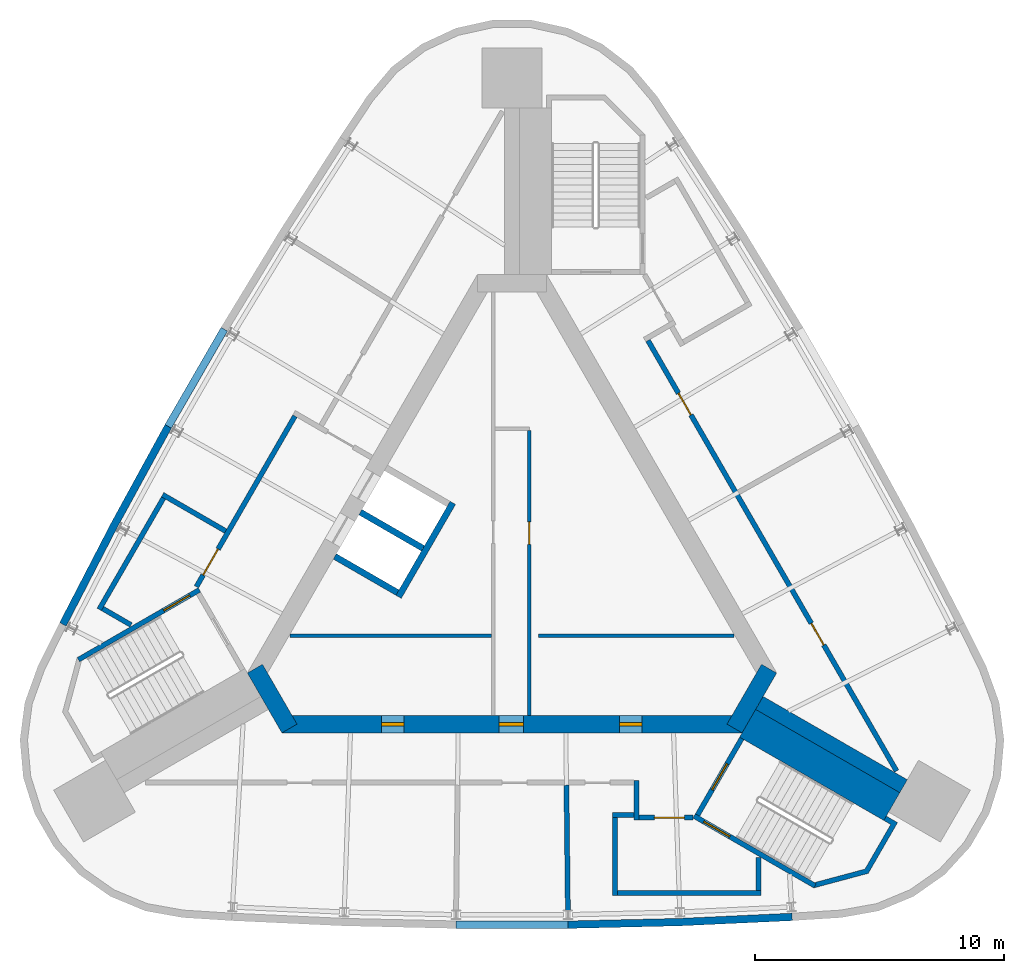
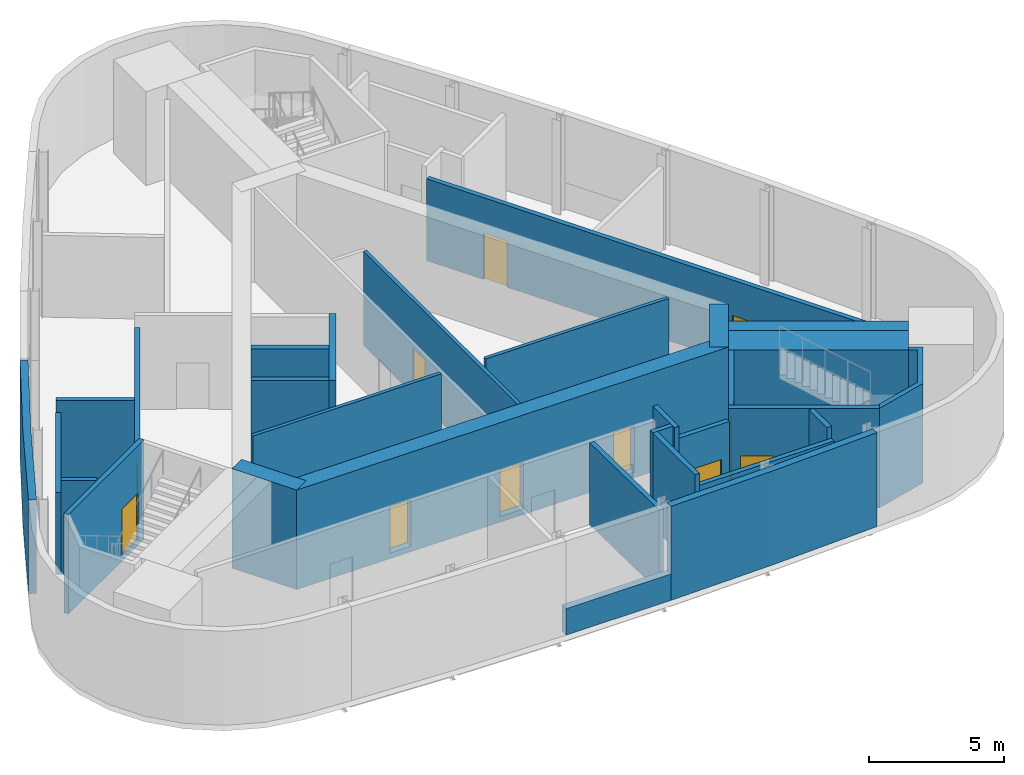
# One storey, part 4 of 7: 31 walls, 11 doors, 11 openings.
"""IFC4 building model written with IfcOpenShell, lengths in metres."""

from ifc_helpers import new_model, si_unit, direction, frame, frame_2d, origin, place, context, subcontext, project, spatial, polyline, rectangle, outline, extrude, material, layer, layer_set, type_object, element, fill, save


model = new_model("IFC4")

# Units and contexts
model_context = context("Model", 3, precision=1e-05, world=origin(), true_north=direction((0.0, 1.0)))
body_context = subcontext(model_context, "Body", "Model", "MODEL_VIEW")
ifc_project = project(units=[si_unit("LENGTHUNIT", "METRE"), si_unit("AREAUNIT", "SQUARE_METRE"), si_unit("VOLUMEUNIT", "CUBIC_METRE"), si_unit("PLANEANGLEUNIT", "RADIAN"), si_unit("MASSUNIT", "GRAM", prefix="KILO")], contexts=[model_context])

# Site, building, storey
site_placement = place(None, origin())
site = spatial("IfcSite", under=ifc_project, at=site_placement, CompositionType="ELEMENT")
building_placement = place(site_placement, origin())
building = spatial("IfcBuilding", under=site, at=building_placement, Name="Noor Cloister Tower", CompositionType="ELEMENT")
storey_placement = place(building_placement, frame((0.0, 0.0, 284.10009765625)))
storey = spatial("IfcBuildingStorey", under=building, at=storey_placement, Name="L72", CompositionType="ELEMENT", Elevation=284.10009765625)

# Walls
ifc_material_1 = material(Name="Concrete C50/60", Category="concrete")
ifc_layer_1 = layer(ifc_material_1, 0.60009765625)
ifc_layer_set_1 = layer_set([ifc_layer_1], Name="Buttress wall 600 C50/60")
wall_type_1 = type_object("IfcWallType", Name="Buttress wall 600 C50/60", PredefinedType="SHEAR", material=ifc_layer_set_1)
wall_1_placement = place(storey_placement, frame((9.921630859375, -5.728271484375, -0.25), z_axis=(0.0, 0.0, 1.0), x_axis=(0.866032176823, -0.499988268569, 0.0)))
element("IfcWall", 1, at=wall_1_placement, inside=storey, type_object=wall_type_1, Name="Buttress wall SE L72", PredefinedType="SHEAR", context=body_context, shape_type="SweptSolid", body=[
    extrude(rectangle(XDim=6.678466796875, YDim=0.60009765625, at=frame_2d((3.33935546875, 0.0))), origin(), (0.0, 0.0, 1.0), 4.5),
])
ifc_material_2 = material(Name="Concrete C30/37", Category="concrete")
ifc_layer_2 = layer(ifc_material_2, 0.14990234375)
ifc_layer_set_2 = layer_set([ifc_layer_2], Name="Core partition 150 C30/37")
wall_type_2 = type_object("IfcWallType", Name="Core partition 150 C30/37", PredefinedType="PARTITIONING", material=ifc_layer_set_2)
wall_2_placement = place(storey_placement, frame((-8.89501953125, -3.0283203125, 0.0), z_axis=(0.0, 0.0, 1.0), x_axis=(1.0, 0.0, 0.0)))
element("IfcWall", 2, at=wall_2_placement, inside=storey, type_object=wall_type_2, Name="Core room partition L72 1", PredefinedType="PARTITIONING", context=body_context, shape_type="SweptSolid", body=[
    extrude(rectangle(XDim=8.06640625, YDim=0.14990234375, at=frame_2d((4.033203125, 0.0))), origin(), (0.0, 0.0, 1.0), 4.25),
])

# Wall, opening, door
wall_3_placement = place(storey_placement, frame((0.6962890625, 5.19677734375, 0.0), z_axis=(0.0, 0.0, 1.0), x_axis=(0.0, -1.0, 0.0)))
wall_3 = element("IfcWall", 3, at=wall_3_placement, inside=storey, type_object=wall_type_2, Name="Core room partition L72 4", PredefinedType="PARTITIONING", context=body_context, shape_type="SweptSolid", body=[
    extrude(rectangle(XDim=11.425048828125, YDim=0.14990234375, at=frame_2d((5.71240234375, 0.0))), origin(), (0.0, 0.0, 1.0), 4.25),
])
opening_1_placement = place(wall_3_placement, frame((3.66357421875, 0.0, 0.0)))
opening_1 = element("IfcOpeningElement", 4, at=opening_1_placement, cuts=wall_3, Name="Opening L72-905", PredefinedType="OPENING", context=body_context, shape_type="SweptSolid", body=[
    extrude(rectangle(XDim=0.89990234375, YDim=2.10009765625, at=frame_2d((0.449951171875, 1.050048828125))), frame((0.0, 0.0849609375, 0.0), z_axis=(0.0, -1.0, 0.0), x_axis=(1.0, 0.0, 0.0)), (0.0, 0.0, 1.0), 0.169921875),
])
ifc_material_3 = material(Name="Steel", Category="steel")
door_type_1 = type_object("IfcDoorType", Name="Core door 900 x 2100 FD60", OperationType="SINGLE_SWING_LEFT", PredefinedType="DOOR", material=ifc_material_3)
door_1_placement = place(opening_1_placement, origin())
door_1 = element("IfcDoor", 5, at=door_1_placement, inside=storey, type_object=door_type_1, Name="Core door 5 L72", OperationType="SINGLE_SWING_LEFT", OverallHeight=2.10009765625, OverallWidth=0.89990234375, PredefinedType="DOOR", context=body_context, shape_type="SweptSolid", body=[
    extrude(rectangle(XDim=0.89990234375, YDim=2.10009765625, at=frame_2d((0.449951171875, 1.050048828125))), frame((0.0, 0.02490234375, 0.0), z_axis=(0.0, -1.0, 0.0), x_axis=(1.0, 0.0, 0.0)), (0.0, 0.0, 1.0), 0.050048828125),
])
fill(opening_1, door_1)

# Wall
wall_4_placement = place(storey_placement, frame((1.0712890625, -3.0283203125, 0.0), z_axis=(0.0, 0.0, 1.0), x_axis=(1.0, 0.0, 0.0)))
element("IfcWall", 6, at=wall_4_placement, inside=storey, type_object=wall_type_2, Name="Core room partition L72 5", PredefinedType="PARTITIONING", context=body_context, shape_type="SweptSolid", body=[
    extrude(rectangle(XDim=7.82373046875, YDim=0.14990234375, at=frame_2d((3.911865234375, 0.0))), origin(), (0.0, 0.0, 1.0), 4.25),
])

# Wall, openings, doors
ifc_material_4 = material(Name="Concrete C50/60", Category="concrete")
ifc_layer_3 = layer(ifc_material_4, 0.699951171875)
ifc_layer_set_3 = layer_set([ifc_layer_3], Name="Core wall 700 C50/60")
wall_type_3 = type_object("IfcWallType", Name="Core wall 700 C50/60", PredefinedType="SHEAR", material=ifc_layer_set_3)
wall_5_placement = place(storey_placement, frame((-9.228759765625, -6.578125, -0.25), z_axis=(0.0, 0.0, 1.0), x_axis=(1.0, 0.0, 0.0)))
wall_5 = element("IfcWall", 7, at=wall_5_placement, inside=storey, type_object=wall_type_3, Name="Core wall L72 1", PredefinedType="SHEAR", context=body_context, shape_type="SweptSolid", body=[
    extrude(rectangle(XDim=18.45751953125, YDim=0.699951171875, at=frame_2d((9.228759765625, 0.0))), origin(), (0.0, 0.0, 1.0), 4.5),
])
opening_2_placement = place(wall_5_placement, frame((8.699951171875, 0.0, 0.25)))
opening_2 = element("IfcOpeningElement", 8, at=opening_2_placement, cuts=wall_5, Name="Opening L72-901", PredefinedType="OPENING", context=body_context, shape_type="SweptSolid", body=[
    extrude(rectangle(XDim=1.0, YDim=2.10009765625, at=frame_2d((0.5, 1.050048828125))), frame((0.0, 0.35986328125, 0.0), z_axis=(0.0, -1.0, 0.0), x_axis=(1.0, 0.0, 0.0)), (0.0, 0.0, 1.0), 0.719970703125),
])
opening_3_placement = place(wall_5_placement, frame((3.989501953125, 0.0, 0.25)))
opening_3 = element("IfcOpeningElement", 9, at=opening_3_placement, cuts=wall_5, Name="Opening L72-902", PredefinedType="OPENING", context=body_context, shape_type="SweptSolid", body=[
    extrude(rectangle(XDim=0.89990234375, YDim=2.10009765625, at=frame_2d((0.449951171875, 1.050048828125))), frame((0.0, 0.35986328125, 0.0), z_axis=(0.0, -1.0, 0.0), x_axis=(1.0, 0.0, 0.0)), (0.0, 0.0, 1.0), 0.719970703125),
])
opening_4_placement = place(wall_5_placement, frame((13.539306640625, 0.0, 0.25)))
opening_4 = element("IfcOpeningElement", 10, at=opening_4_placement, cuts=wall_5, Name="Opening L72-903", PredefinedType="OPENING", context=body_context, shape_type="SweptSolid", body=[
    extrude(rectangle(XDim=0.89990234375, YDim=2.10009765625, at=frame_2d((0.449951171875, 1.050048828125))), frame((0.0, 0.35986328125, 0.0), z_axis=(0.0, -1.0, 0.0), x_axis=(1.0, 0.0, 0.0)), (0.0, 0.0, 1.0), 0.719970703125),
])
ifc_material_5 = material(Name="Steel", Category="steel")
door_type_2 = type_object("IfcDoorType", Name="Core door 1000 x 2100 FD120", OperationType="SINGLE_SWING_LEFT", PredefinedType="DOOR", material=ifc_material_5)
door_2_placement = place(opening_2_placement, origin())
door_2 = element("IfcDoor", 11, at=door_2_placement, inside=storey, type_object=door_type_2, Name="Core door 1 L72", OperationType="SINGLE_SWING_LEFT", OverallHeight=2.10009765625, OverallWidth=1.0, PredefinedType="DOOR", context=body_context, shape_type="SweptSolid", body=[
    extrude(rectangle(XDim=1.0, YDim=2.10009765625, at=frame_2d((0.5, 1.050048828125))), frame((0.0, 0.074951171875, 0.0), z_axis=(0.0, -1.0, 0.0), x_axis=(1.0, 0.0, 0.0)), (0.0, 0.0, 1.0), 0.14990234375),
])
fill(opening_2, door_2)
ifc_material_6 = material(Name="Steel", Category="steel")
door_type_3 = type_object("IfcDoorType", Name="Core door 900 x 2100 FD120", OperationType="SINGLE_SWING_LEFT", PredefinedType="DOOR", material=ifc_material_6)
door_3_placement = place(opening_3_placement, origin())
door_3 = element("IfcDoor", 12, at=door_3_placement, inside=storey, type_object=door_type_3, Name="Core door 2 L72", OperationType="SINGLE_SWING_RIGHT", OverallHeight=2.10009765625, OverallWidth=0.89990234375, PredefinedType="DOOR", context=body_context, shape_type="SweptSolid", body=[
    extrude(rectangle(XDim=0.89990234375, YDim=2.10009765625, at=frame_2d((0.449951171875, 1.050048828125))), frame((0.0, 0.074951171875, 0.0), z_axis=(0.0, -1.0, 0.0), x_axis=(1.0, 0.0, 0.0)), (0.0, 0.0, 1.0), 0.14990234375),
])
fill(opening_3, door_3)
door_4_placement = place(opening_4_placement, origin())
door_4 = element("IfcDoor", 13, at=door_4_placement, inside=storey, type_object=door_type_1, Name="Core door 3 L72", OperationType="SINGLE_SWING_LEFT", OverallHeight=2.10009765625, OverallWidth=0.89990234375, PredefinedType="DOOR", context=body_context, shape_type="SweptSolid", body=[
    extrude(rectangle(XDim=0.89990234375, YDim=2.10009765625, at=frame_2d((0.449951171875, 1.050048828125))), frame((0.0, 0.074951171875, 0.0), z_axis=(0.0, -1.0, 0.0), x_axis=(1.0, 0.0, 0.0)), (0.0, 0.0, 1.0), 0.14990234375),
])
fill(opening_4, door_4)

# Walls
for number, where, z_axis, x_axis, name in (
    (14, (8.925537109375, -6.753173828125, -0.25), (0.0, 0.0, 1.0), (0.500042739161, 0.866000726912, 0.0), "Core wall L72 2"),
    (15, (-10.311279296875, -4.353271484375, -0.25), (0.0, 0.0, 1.0), (0.500042739161, -0.866000726912, 0.0), "Core wall L72 6"),
):
    element("IfcWall", number, at=place(storey_placement, frame(where, z_axis=z_axis, x_axis=x_axis)), inside=storey, type_object=wall_type_3, Name=name, PredefinedType="SHEAR", context=body_context, shape_type="SweptSolid", body=[
        extrude(rectangle(XDim=2.771240234375, YDim=0.699951171875, at=frame_2d((1.3857421875, 0.0))), origin(), (0.0, 0.0, 1.0), 4.5),
    ])
ifc_material_7 = material(Name="Limestone", Category="masonry")
ifc_layer_4 = layer(ifc_material_7, 0.300048828125)
ifc_layer_set_4 = layer_set([ifc_layer_4], Name="Limestone panel wall 300")
wall_type_4 = type_object("IfcWallType", Name="Limestone panel wall 300", PredefinedType="NOTDEFINED", material=ifc_layer_set_4)
wall_6_placement = place(storey_placement, origin())
element("IfcWall", 16, at=wall_6_placement, inside=storey, type_object=wall_type_4, Name="Limestone crown wall L72 1b", PredefinedType="NOTDEFINED", context=body_context, shape_type="SweptSolid", body=[
    extrude(outline(polyline([(-13.919189453125, 5.438232421875), (-16.078125, 1.489990234375), (-18.14501953125, -2.507080078125), (-17.87841796875, -2.644775390625), (-15.813232421875, 1.34912109375), (-13.656005859375, 5.294189453125), (-13.919189453125, 5.438232421875)])), origin(), (0.0, 0.0, 1.0), 4.25),
])
wall_7_placement = place(storey_placement, origin())
element("IfcWall", 17, at=wall_7_placement, inside=storey, type_object=wall_type_4, Name="Limestone crown wall L72 1 lower", PredefinedType="NOTDEFINED", context=body_context, shape_type="SweptSolid", body=[
    extrude(outline(polyline([(-11.669189453125, 9.335205078125), (-13.919189453125, 5.438232421875), (-13.659423828125, 5.288330078125), (-11.409423828125, 9.185302734375), (-11.669189453125, 9.335205078125)])), origin(), (0.0, 0.0, 1.0), 1.199951171875),
])
wall_8_placement = place(storey_placement, origin())
element("IfcWall", 18, at=wall_8_placement, inside=storey, type_object=wall_type_4, Name="Limestone crown wall L72 2b", PredefinedType="NOTDEFINED", context=body_context, shape_type="SweptSolid", body=[
    extrude(outline(polyline([(2.25, -14.7734375), (6.74853515625, -14.669189453125), (11.24365234375, -14.46044921875), (11.229736328125, -14.160888671875), (6.73828125, -14.369384765625), (2.242919921875, -14.4736328125), (2.25, -14.7734375)])), origin(), (0.0, 0.0, 1.0), 4.25),
])
wall_9_placement = place(storey_placement, origin())
element("IfcWall", 19, at=wall_9_placement, inside=storey, type_object=wall_type_4, Name="Limestone crown wall L72 2 lower", PredefinedType="NOTDEFINED", context=body_context, shape_type="SweptSolid", body=[
    extrude(outline(polyline([(-2.25, -14.7734375), (2.25, -14.7734375), (2.25, -14.473388671875), (-2.25, -14.473388671875), (-2.25, -14.7734375)])), origin(), (0.0, 0.0, 1.0), 1.199951171875),
])
ifc_material_8 = material(Name="Concrete C50/60", Category="concrete")
ifc_layer_5 = layer(ifc_material_8, 0.25)
ifc_layer_set_5 = layer_set([ifc_layer_5], Name="Shaft wall 250 C50/60")
wall_type_5 = type_object("IfcWallType", Name="Shaft wall 250 C50/60", PredefinedType="PARTITIONING", material=ifc_layer_set_5)
for number, where, z_axis, x_axis, name in (
    (20, (-6.081298828125, 1.92333984375, -0.25), (0.0, 0.0, 1.0), (0.866032775405, -0.499987231761, 0.0), "Lift shaft wall L72 NW 4"),
    (21, (-7.106201171875, 0.14794921875, -0.25), (0.0, 0.0, 1.0), (0.866032775405, -0.499987231761, 0.0), "Lift shaft wall L72 NW 5"),
):
    element("IfcWall", number, at=place(storey_placement, frame(where, z_axis=z_axis, x_axis=x_axis)), inside=storey, type_object=wall_type_5, Name=name, PredefinedType="PARTITIONING", context=body_context, shape_type="SweptSolid", body=[
        extrude(rectangle(XDim=2.89990234375, YDim=0.25, at=frame_2d((1.449951171875, 0.0))), origin(), (0.0, 0.0, 1.0), 4.5),
    ])
wall_10_placement = place(storey_placement, frame((-2.3740234375, 2.29443359375, 0.0), z_axis=(0.0, 0.0, 1.0), x_axis=(-0.499996127374, -0.866027639635, 0.0)))
element("IfcWall", 22, at=wall_10_placement, inside=storey, type_object=wall_type_5, Name="Lift shaft back wall L72 NW", PredefinedType="PARTITIONING", context=body_context, shape_type="SweptSolid", body=[
    extrude(rectangle(XDim=4.35009765625, YDim=0.25, at=frame_2d((2.175048828125, 0.0))), origin(), (0.0, 0.0, 1.0), 4.25),
])
ifc_material_9 = material(Name="Concrete C50/60", Category="concrete")
ifc_layer_6 = layer(ifc_material_9, 1.285888671875)
ifc_layer_set_6 = layer_set([ifc_layer_6], Name="Stair enclosure wall 1286 C50/60")
wall_type_6 = type_object("IfcWallType", Name="Stair enclosure wall 1286 C50/60", PredefinedType="SHEAR", material=ifc_layer_set_6)
wall_11_placement = place(storey_placement, frame((9.4501953125, -6.544677734375, -0.25), z_axis=(0.0, 0.0, 1.0), x_axis=(0.866016347338, -0.500015685897, 0.0)))
element("IfcWall", 23, at=wall_11_placement, inside=storey, type_object=wall_type_6, Name="Stair enclosure wall ST3 L72 riser side", PredefinedType="SHEAR", context=body_context, shape_type="SweptSolid", body=[
    extrude(rectangle(XDim=6.678466796875, YDim=1.28564453125, at=frame_2d((3.33935546875, 0.0))), origin(), (0.0, 0.0, 1.0), 4.5),
])

# Wall, opening, door
ifc_material_10 = material(Name="Concrete C50/60", Category="concrete")
ifc_layer_7 = layer(ifc_material_10, 0.199951171875)
ifc_layer_set_7 = layer_set([ifc_layer_7], Name="Stair enclosure wall 200 C50/60")
wall_type_7 = type_object("IfcWallType", Name="Stair enclosure wall 200 C50/60", PredefinedType="SHEAR", material=ifc_layer_set_7)
wall_12_placement = place(storey_placement, frame((-12.539306640625, -1.194091796875, -0.25), z_axis=(0.0, 0.0, 1.0), x_axis=(-0.866045472092, -0.499965239061, 0.0)))
wall_12 = element("IfcWall", 24, at=wall_12_placement, inside=storey, type_object=wall_type_7, Name="Stair enclosure wall ST2 L72 outer side", PredefinedType="SHEAR", context=body_context, shape_type="SweptSolid", body=[
    extrude(rectangle(XDim=5.60009765625, YDim=0.199951171875, at=frame_2d((2.800048828125, 0.0))), origin(), (0.0, 0.0, 1.0), 4.5),
])
opening_5_placement = place(wall_12_placement, frame((0.449951171875, 0.0, 0.25)))
opening_5 = element("IfcOpeningElement", 25, at=opening_5_placement, cuts=wall_12, Name="Opening L72-ST2C", PredefinedType="OPENING", context=body_context, shape_type="SweptSolid", body=[
    extrude(rectangle(XDim=1.199951171875, YDim=2.10009765625, at=frame_2d((0.60009765625, 1.050048828125))), frame((0.0, 0.10986328125, 0.0), z_axis=(0.0, -1.0, 0.0), x_axis=(1.0, 0.0, 0.0)), (0.0, 0.0, 1.0), 0.219970703125),
])
ifc_material_11 = material(Name="Steel", Category="steel")
door_type_4 = type_object("IfcDoorType", Name="Stair door 1200 x 2100 FD120", OperationType="SINGLE_SWING_LEFT", PredefinedType="DOOR", material=ifc_material_11)
door_5_placement = place(opening_5_placement, origin())
door_5 = element("IfcDoor", 26, at=door_5_placement, inside=storey, type_object=door_type_4, Name="Stair door ST2 L72", OperationType="SINGLE_SWING_LEFT", OverallHeight=2.10009765625, OverallWidth=1.199951171875, PredefinedType="DOOR", context=body_context, shape_type="SweptSolid", body=[
    extrude(rectangle(XDim=1.199951171875, YDim=2.10009765625, at=frame_2d((0.60009765625, 1.050048828125))), frame((0.0, 0.02490234375, 0.0), z_axis=(0.0, -1.0, 0.0), x_axis=(1.0, 0.0, 0.0)), (0.0, 0.0, 1.0), 0.050048828125),
])
fill(opening_5, door_5)

wall_13_placement = place(storey_placement, frame((7.440185546875, -10.225830078125, -0.25), z_axis=(0.0, 0.0, 1.0), x_axis=(0.500022077904, 0.866012656725, 0.0)))
wall_13 = element("IfcWall", 27, at=wall_13_placement, inside=storey, type_object=wall_type_7, Name="Stair enclosure wall ST3 L72 near end", PredefinedType="SHEAR", context=body_context, shape_type="SweptSolid", body=[
    extrude(rectangle(XDim=3.550048828125, YDim=0.199951171875, at=frame_2d((1.77490234375, 0.0))), origin(), (0.0, 0.0, 1.0), 4.5),
])
opening_6_placement = place(wall_13_placement, frame((1.175048828125, 0.0, 0.25)))
opening_6 = element("IfcOpeningElement", 28, at=opening_6_placement, cuts=wall_13, Name="Opening L72-ST3L", PredefinedType="OPENING", context=body_context, shape_type="SweptSolid", body=[
    extrude(rectangle(XDim=1.199951171875, YDim=2.10009765625, at=frame_2d((0.60009765625, 1.050048828125))), frame((0.0, 0.10986328125, 0.0), z_axis=(0.0, -1.0, 0.0), x_axis=(1.0, 0.0, 0.0)), (0.0, 0.0, 1.0), 0.219970703125),
])
door_6_placement = place(opening_6_placement, origin())
door_6 = element("IfcDoor", 29, at=door_6_placement, inside=storey, type_object=door_type_4, Name="Stair door ST3 L72", OperationType="SINGLE_SWING_RIGHT", OverallHeight=2.10009765625, OverallWidth=1.199951171875, PredefinedType="DOOR", context=body_context, shape_type="SweptSolid", body=[
    extrude(rectangle(XDim=1.199951171875, YDim=2.10009765625, at=frame_2d((0.60009765625, 1.050048828125))), frame((0.0, 0.02490234375, 0.0), z_axis=(0.0, -1.0, 0.0), x_axis=(1.0, 0.0, 0.0)), (0.0, 0.0, 1.0), 0.050048828125),
])
fill(opening_6, door_6)

wall_14_placement = place(storey_placement, frame((7.3037109375, -10.262451171875, -0.25), z_axis=(0.0, 0.0, 1.0), x_axis=(0.866026594901, -0.49999793692, 0.0)))
wall_14 = element("IfcWall", 30, at=wall_14_placement, inside=storey, type_object=wall_type_7, Name="Stair enclosure wall ST3 L72 outer side", PredefinedType="SHEAR", context=body_context, shape_type="SweptSolid", body=[
    extrude(rectangle(XDim=5.60009765625, YDim=0.199951171875, at=frame_2d((2.800048828125, 0.0))), origin(), (0.0, 0.0, 1.0), 4.5),
])
opening_7_placement = place(wall_14_placement, frame((0.449951171875, 0.0, 0.25)))
opening_7 = element("IfcOpeningElement", 31, at=opening_7_placement, cuts=wall_14, Name="Opening L72-ST3C", PredefinedType="OPENING", context=body_context, shape_type="SweptSolid", body=[
    extrude(rectangle(XDim=1.199951171875, YDim=2.10009765625, at=frame_2d((0.60009765625, 1.050048828125))), frame((0.0, 0.10986328125, 0.0), z_axis=(0.0, -1.0, 0.0), x_axis=(1.0, 0.0, 0.0)), (0.0, 0.0, 1.0), 0.219970703125),
])
door_7_placement = place(opening_7_placement, origin())
door_7 = element("IfcDoor", 32, at=door_7_placement, inside=storey, type_object=door_type_4, Name="Stair door ST3 L72", OperationType="SINGLE_SWING_LEFT", OverallHeight=2.10009765625, OverallWidth=1.199951171875, PredefinedType="DOOR", context=body_context, shape_type="SweptSolid", body=[
    extrude(rectangle(XDim=1.199951171875, YDim=2.10009765625, at=frame_2d((0.60009765625, 1.050048828125))), frame((0.0, 0.02490234375, 0.0), z_axis=(0.0, -1.0, 0.0), x_axis=(1.0, 0.0, 0.0)), (0.0, 0.0, 1.0), 0.050048828125),
])
fill(opening_7, door_7)

# Walls
ifc_material_12 = material(Name="Concrete C50/60", Category="concrete")
wall_type_8 = type_object("IfcWallType", Name="Stair far end wall C50/60", PredefinedType="SHEAR", material=ifc_material_12)
wall_15_placement = place(storey_placement, frame((0.0, 0.0, -0.25)))
element("IfcWall", 33, at=wall_15_placement, inside=storey, type_object=wall_type_8, Name="Stair enclosure wall ST3 L72 far end", PredefinedType="SHEAR", context=body_context, shape_type="SweptSolid", body=[
    extrude(outline(polyline([(12.103515625, -13.14892578125), (14.2890625, -12.5634765625), (15.464111328125, -10.5283203125), (15.0126953125, -10.267578125), (14.91259765625, -10.440673828125), (15.19091796875, -10.601318359375), (14.1572265625, -12.3916015625), (12.131591796875, -12.934326171875), (12.20361328125, -12.975830078125), (12.20361328125, -12.975830078125), (12.20361328125, -12.975830078125), (12.20361328125, -12.975830078125), (12.20361328125, -12.975830078125), (12.20361328125, -12.975830078125), (12.20361328125, -12.975830078125), (12.20361328125, -12.975830078125), (12.20361328125, -12.975830078125), (12.20361328125, -12.975830078125), (12.20361328125, -12.975830078125), (12.20361328125, -12.975830078125), (12.20361328125, -12.975830078125), (12.20361328125, -12.975830078125), (12.20361328125, -12.975830078125), (12.20361328125, -12.975830078125), (12.20361328125, -12.975830078125), (12.103515625, -13.14892578125)])), origin(), (0.0, 0.0, 1.0), 4.5),
])
ifc_material_13 = material(Name="Concrete block wall, 200 mm", Category="concrete")
ifc_layer_8 = layer(ifc_material_13, 0.199951171875)
ifc_layer_set_8 = layer_set([ifc_layer_8], Name="Upper floor plant room wall 200")
wall_type_9 = type_object("IfcWallType", Name="Upper floor plant room wall 200", PredefinedType="PARTITIONING", material=ifc_layer_set_8)
wall_16_placement = place(storey_placement, frame((-14.012939453125, 2.62451171875, 0.0), z_axis=(0.0, 0.0, 1.0), x_axis=(0.866026830048, -0.499997529631, 0.0)))
element("IfcWall", 34, at=wall_16_placement, inside=storey, type_object=wall_type_9, Name="Upper floor plant room wall 200 L72 002", PredefinedType="PARTITIONING", context=body_context, shape_type="SweptSolid", body=[
    extrude(rectangle(XDim=2.91943359375, YDim=0.199951171875, at=frame_2d((1.459716796875, 0.0))), origin(), (0.0, 0.0, 1.0), 4.25),
])

# Wall, opening, door
wall_17_placement = place(storey_placement, frame((-12.657958984375, -1.06787109375, 0.0), z_axis=(0.0, 0.0, 1.0), x_axis=(0.499996073327, 0.866027670838, 0.0)))
wall_17 = element("IfcWall", 35, at=wall_17_placement, inside=storey, type_object=wall_type_9, Name="Upper floor plant room wall 200 L72 003", PredefinedType="PARTITIONING", context=body_context, shape_type="SweptSolid", body=[
    extrude(rectangle(XDim=7.90380859375, YDim=0.199951171875, at=frame_2d((3.951904296875, 0.0))), origin(), (0.0, 0.0, 1.0), 3.701904296875),
])
opening_8_placement = place(wall_17_placement, frame((0.54052734375, 0.0, 0.0)))
opening_8 = element("IfcOpeningElement", 36, at=opening_8_placement, cuts=wall_17, Name="Opening L72-004", PredefinedType="OPENING", context=body_context, shape_type="SweptSolid", body=[
    extrude(rectangle(XDim=1.199951171875, YDim=2.10009765625, at=frame_2d((0.60009765625, 1.050048828125))), frame((0.0, 0.10986328125, 0.0), z_axis=(0.0, -1.0, 0.0), x_axis=(1.0, 0.0, 0.0)), (0.0, 0.0, 1.0), 0.219970703125),
])
ifc_material_14 = material(Name="Timber door leaf with steel frame", Category="steel")
door_type_5 = type_object("IfcDoorType", Name="Protected lobby door 1200", OperationType="NOTDEFINED", PredefinedType="DOOR", material=ifc_material_14)
door_8_placement = place(opening_8_placement, origin())
door_8 = element("IfcDoor", 37, at=door_8_placement, inside=storey, type_object=door_type_5, Name="Protected lobby door 1200 L72-004", OperationType="SINGLE_SWING_LEFT", OverallHeight=2.10009765625, OverallWidth=1.199951171875, PredefinedType="DOOR", context=body_context, shape_type="SweptSolid", body=[
    extrude(rectangle(XDim=1.199951171875, YDim=2.10009765625, at=frame_2d((0.60009765625, 1.050048828125))), frame((0.0, 0.02490234375, 0.0), z_axis=(0.0, -1.0, 0.0), x_axis=(1.0, 0.0, 0.0)), (0.0, 0.0, 1.0), 0.050048828125),
])
fill(opening_8, door_8)

# Walls
wall_18_placement = place(storey_placement, frame((-13.97802734375, 2.489013671875, 0.0), z_axis=(0.0, 0.0, 1.0), x_axis=(-0.499983365876, -0.866035007288, 0.0)))
element("IfcWall", 38, at=wall_18_placement, inside=storey, type_object=wall_type_9, Name="Upper floor plant room wall 200 L72 006", PredefinedType="PARTITIONING", context=body_context, shape_type="SweptSolid", body=[
    extrude(rectangle(XDim=5.156982421875, YDim=0.199951171875, at=frame_2d((2.57861328125, 0.0))), origin(), (0.0, 0.0, 1.0), 3.701904296875),
])
wall_19_placement = place(storey_placement, frame((-16.4208984375, -1.942138671875, 0.0), z_axis=(0.0, 0.0, 1.0), x_axis=(0.865991484893, -0.500058744641, 0.0)))
element("IfcWall", 39, at=wall_19_placement, inside=storey, type_object=wall_type_9, Name="Upper floor plant room wall 200 L72 007", PredefinedType="PARTITIONING", context=body_context, shape_type="SweptSolid", body=[
    extrude(rectangle(XDim=1.319580078125, YDim=0.199951171875, at=frame_2d((0.65966796875, 0.0))), origin(), (0.0, 0.0, 1.0), 4.25),
])
wall_20_placement = place(storey_placement, frame((4.03369140625, -10.228271484375, 0.0), z_axis=(0.0, 0.0, 1.0), x_axis=(1.0, 0.0, 0.0)))
element("IfcWall", 40, at=wall_20_placement, inside=storey, type_object=wall_type_9, Name="Upper floor plant room wall 200 L72 008", PredefinedType="PARTITIONING", context=body_context, shape_type="SweptSolid", body=[
    extrude(rectangle(XDim=0.8662109375, YDim=0.199951171875, at=frame_2d((0.43310546875, 0.0))), origin(), (0.0, 0.0, 1.0), 4.25),
])
wall_21_placement = place(storey_placement, frame((5.0, -10.42822265625, 0.0), z_axis=(0.0, 0.0, 1.0), x_axis=(0.0, 1.0, 0.0)))
element("IfcWall", 41, at=wall_21_placement, inside=storey, type_object=wall_type_9, Name="Upper floor plant room wall 200 L72 009", PredefinedType="PARTITIONING", context=body_context, shape_type="SweptSolid", body=[
    extrude(rectangle(XDim=1.59814453125, YDim=0.199951171875, at=frame_2d((0.799072265625, 0.0))), origin(), (0.0, 0.0, 1.0), 4.25),
])

# Wall, opening, door
wall_22_placement = place(storey_placement, frame((5.10009765625, -10.328125, 0.0), z_axis=(0.0, 0.0, 1.0), x_axis=(1.0, 0.0, 0.0)))
wall_22 = element("IfcWall", 42, at=wall_22_placement, inside=storey, type_object=wall_type_9, Name="Upper floor plant room wall 200 L72 010", PredefinedType="PARTITIONING", context=body_context, shape_type="SweptSolid", body=[
    extrude(rectangle(XDim=2.153564453125, YDim=0.199951171875, at=frame_2d((1.07666015625, 0.0))), origin(), (0.0, 0.0, 1.0), 3.701904296875),
])
opening_9_placement = place(wall_22_placement, frame((0.61474609375, 0.0, 0.0)))
opening_9 = element("IfcOpeningElement", 43, at=opening_9_placement, cuts=wall_22, Name="Opening L72-008", PredefinedType="OPENING", context=body_context, shape_type="SweptSolid", body=[
    extrude(rectangle(XDim=1.199951171875, YDim=2.10009765625, at=frame_2d((0.60009765625, 1.050048828125))), frame((0.0, 0.10986328125, 0.0), z_axis=(0.0, -1.0, 0.0), x_axis=(1.0, 0.0, 0.0)), (0.0, 0.0, 1.0), 0.219970703125),
])
door_9_placement = place(opening_9_placement, origin())
door_9 = element("IfcDoor", 44, at=door_9_placement, inside=storey, type_object=door_type_5, Name="Protected lobby door 1200 L72-008", OperationType="SINGLE_SWING_RIGHT", OverallHeight=2.10009765625, OverallWidth=1.199951171875, PredefinedType="DOOR", context=body_context, shape_type="SweptSolid", body=[
    extrude(rectangle(XDim=1.199951171875, YDim=2.10009765625, at=frame_2d((0.60009765625, 1.050048828125))), frame((0.0, 0.02490234375, 0.0), z_axis=(0.0, -1.0, 0.0), x_axis=(1.0, 0.0, 0.0)), (0.0, 0.0, 1.0), 0.050048828125),
])
fill(opening_9, door_9)

# Walls
wall_23_placement = place(storey_placement, frame((2.183349609375, -9.029296875, 0.0), z_axis=(0.0, 0.0, 1.0), x_axis=(0.011566914048, -0.999933101012, 0.0)))
element("IfcWall", 45, at=wall_23_placement, inside=storey, type_object=wall_type_9, Name="Upper floor plant room wall 200 L72 013", PredefinedType="PARTITIONING", context=body_context, shape_type="SweptSolid", body=[
    extrude(rectangle(XDim=5.04443359375, YDim=0.199951171875, at=frame_2d((2.522216796875, 0.0))), origin(), (0.0, 0.0, 1.0), 3.701904296875),
])
wall_24_placement = place(storey_placement, frame((4.133544921875, -10.328125, 0.0), z_axis=(0.0, 0.0, 1.0), x_axis=(0.0, -1.0, 0.0)))
element("IfcWall", 46, at=wall_24_placement, inside=storey, type_object=wall_type_9, Name="Upper floor plant room wall 200 L72 014", PredefinedType="PARTITIONING", context=body_context, shape_type="SweptSolid", body=[
    extrude(rectangle(XDim=3.12158203125, YDim=0.199951171875, at=frame_2d((1.560791015625, 0.0))), origin(), (0.0, 0.0, 1.0), 4.25),
])
wall_25_placement = place(storey_placement, frame((4.233642578125, -13.349853515625, 0.0), z_axis=(0.0, 0.0, 1.0), x_axis=(1.0, 0.0, 0.0)))
element("IfcWall", 47, at=wall_25_placement, inside=storey, type_object=wall_type_9, Name="Upper floor plant room wall 200 L72 015", PredefinedType="PARTITIONING", context=body_context, shape_type="SweptSolid", body=[
    extrude(rectangle(XDim=5.7587890625, YDim=0.199951171875, at=frame_2d((2.87939453125, 0.0))), origin(), (0.0, 0.0, 1.0), 3.701904296875),
])
wall_26_placement = place(storey_placement, frame((9.892578125, -13.249755859375, 0.0), z_axis=(0.0, 0.0, 1.0), x_axis=(0.0, 1.0, 0.0)))
element("IfcWall", 48, at=wall_26_placement, inside=storey, type_object=wall_type_9, Name="Upper floor plant room wall 200 L72 016", PredefinedType="PARTITIONING", context=body_context, shape_type="SweptSolid", body=[
    extrude(rectangle(XDim=1.319580078125, YDim=0.199951171875, at=frame_2d((0.65966796875, 0.0))), origin(), (0.0, 0.0, 1.0), 4.25),
])

# Wall, openings, doors
wall_27_placement = place(storey_placement, frame((5.455322265625, 8.8076171875, 0.0), z_axis=(0.0, 0.0, 1.0), x_axis=(0.499996641012, -0.866027343088, 0.0)))
wall_27 = element("IfcWall", 49, at=wall_27_placement, inside=storey, type_object=wall_type_9, Name="Upper floor plant room wall 200 L72 020", PredefinedType="PARTITIONING", context=body_context, shape_type="SweptSolid", body=[
    extrude(rectangle(XDim=19.937255859375, YDim=0.199951171875, at=frame_2d((9.96875, 0.0))), origin(), (0.0, 0.0, 1.0), 3.701904296875),
])
opening_10_placement = place(wall_27_placement, frame((13.097412109375, 0.0, 0.0)))
opening_10 = element("IfcOpeningElement", 50, at=opening_10_placement, cuts=wall_27, Name="Opening L72-009", PredefinedType="OPENING", context=body_context, shape_type="SweptSolid", body=[
    extrude(rectangle(XDim=1.0, YDim=2.10009765625, at=frame_2d((0.5, 1.050048828125))), frame((0.0, 0.10986328125, 0.0), z_axis=(0.0, -1.0, 0.0), x_axis=(1.0, 0.0, 0.0)), (0.0, 0.0, 1.0), 0.219970703125),
])
opening_11_placement = place(wall_27_placement, frame((2.442626953125, 0.0, 0.0)))
opening_11 = element("IfcOpeningElement", 51, at=opening_11_placement, cuts=wall_27, Name="Opening L72-010", PredefinedType="OPENING", context=body_context, shape_type="SweptSolid", body=[
    extrude(rectangle(XDim=1.0, YDim=2.10009765625, at=frame_2d((0.5, 1.050048828125))), frame((0.0, 0.10986328125, 0.0), z_axis=(0.0, -1.0, 0.0), x_axis=(1.0, 0.0, 0.0)), (0.0, 0.0, 1.0), 0.219970703125),
])
ifc_material_15 = material(Name="Timber door leaf with steel frame", Category="steel")
door_type_6 = type_object("IfcDoorType", Name="Plant room door 1000", OperationType="NOTDEFINED", PredefinedType="DOOR", material=ifc_material_15)
door_10_placement = place(opening_10_placement, origin())
door_10 = element("IfcDoor", 52, at=door_10_placement, inside=storey, type_object=door_type_6, Name="Plant room door 1000 L72-009", OperationType="SINGLE_SWING_RIGHT", OverallHeight=2.10009765625, OverallWidth=1.0, PredefinedType="DOOR", context=body_context, shape_type="SweptSolid", body=[
    extrude(rectangle(XDim=1.0, YDim=2.10009765625, at=frame_2d((0.5, 1.050048828125))), frame((0.0, 0.02490234375, 0.0), z_axis=(0.0, -1.0, 0.0), x_axis=(1.0, 0.0, 0.0)), (0.0, 0.0, 1.0), 0.050048828125),
])
fill(opening_10, door_10)
door_11_placement = place(opening_11_placement, origin())
door_11 = element("IfcDoor", 53, at=door_11_placement, inside=storey, type_object=door_type_6, Name="Plant room door 1000 L72-010", OperationType="SINGLE_SWING_LEFT", OverallHeight=2.10009765625, OverallWidth=1.0, PredefinedType="DOOR", context=body_context, shape_type="SweptSolid", body=[
    extrude(rectangle(XDim=1.0, YDim=2.10009765625, at=frame_2d((0.5, 1.050048828125))), frame((0.0, 0.02490234375, 0.0), z_axis=(0.0, -1.0, 0.0), x_axis=(1.0, 0.0, 0.0)), (0.0, 0.0, 1.0), 0.050048828125),
])
fill(opening_11, door_11)

save(model, "model.ifc")
